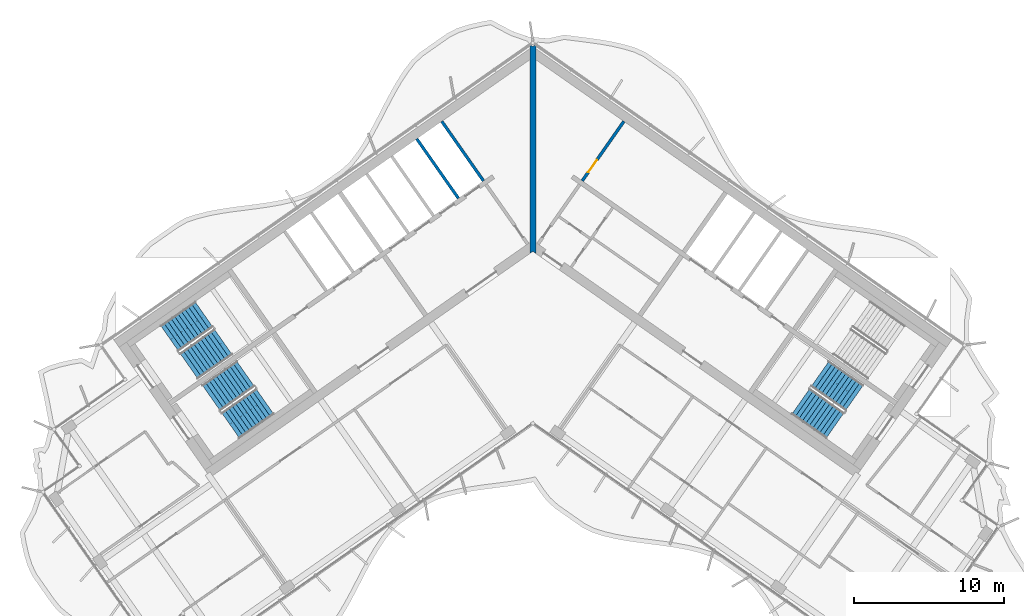
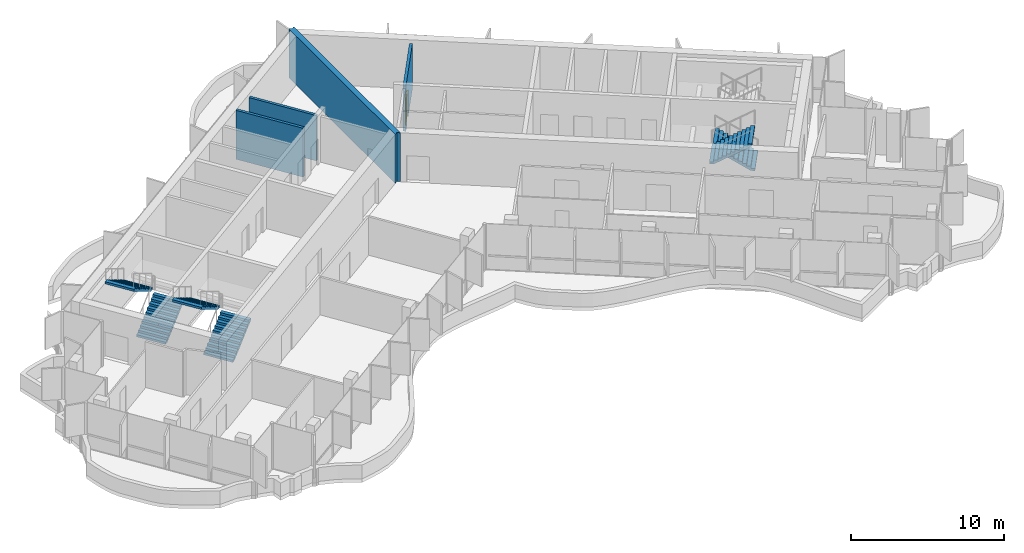
# One storey, part 12 of 18: 6 stair flights, 4 walls, 1 door, 1 opening, 3 elements without a shape of their own.
"""IFC4 building model written with IfcOpenShell, lengths in metres."""

from ifc_helpers import new_model, si_unit, direction, frame, frame_2d, origin, place, context, subcontext, project, spatial, polyline, rectangle, outline, extrude, material, layer, layer_set, type_object, element, fill, aggregate, save


model = new_model("IFC4")

# Units and contexts
model_context = context("Model", 3, precision=1e-05, world=origin(), true_north=direction((0.0, 1.0)))
body_context = subcontext(model_context, "Body", "Model", "MODEL_VIEW")
ifc_project = project(units=[si_unit("LENGTHUNIT", "METRE"), si_unit("AREAUNIT", "SQUARE_METRE"), si_unit("VOLUMEUNIT", "CUBIC_METRE"), si_unit("PLANEANGLEUNIT", "RADIAN"), si_unit("MASSUNIT", "GRAM", prefix="KILO")], contexts=[model_context])

# Site, building, storey
site_placement = place(None, origin())
site = spatial("IfcSite", under=ifc_project, at=site_placement, CompositionType="ELEMENT")
building_placement = place(site_placement, origin())
building = spatial("IfcBuilding", under=site, at=building_placement, Name="Tel Ilan Convention Tower", CompositionType="ELEMENT")
storey_placement = place(building_placement, frame((0.0, 0.0, 260.5)))
storey = spatial("IfcBuildingStorey", under=building, at=storey_placement, Name="L61", CompositionType="ELEMENT", Elevation=260.5)

# Wall
ifc_material_1 = material(Name="Concrete C30/37", Category="concrete")
ifc_layer_1 = layer(ifc_material_1, 0.199951171875)
ifc_layer_set_1 = layer_set([ifc_layer_1], Name="Core Service Room Wall 200 mm C30/37")
wall_type_1 = type_object("IfcWallType", Name="Core Service Room Wall 200 mm C30/37", PredefinedType="SOLIDWALL", material=ifc_layer_set_1)
wall_1_placement = place(storey_placement, frame((-3.2978515625, 3.489501953125, 0.0), z_axis=(0.0, 0.0, 1.0), x_axis=(-0.573560315113, 0.819163332265, 0.0)))
element("IfcWall", 1, at=wall_1_placement, inside=storey, type_object=wall_type_1, Name="L61 core wall apex-W-b", PredefinedType="SOLIDWALL", context=body_context, shape_type="SweptSolid", body=[
    extrude(rectangle(XDim=4.849853515625, YDim=0.199951171875, at=frame_2d((2.4248046875, 0.0))), origin(), (0.0, 0.0, 1.0), 3.6201171875),
])

# Wall, opening, door
wall_2_placement = place(storey_placement, frame((3.2978515625, 3.489501953125, 0.0), z_axis=(0.0, 0.0, 1.0), x_axis=(0.573560315113, 0.819163332265, 0.0)))
wall_2 = element("IfcWall", 2, at=wall_2_placement, inside=storey, type_object=wall_type_1, Name="L61 core wall apex-E-b", PredefinedType="SOLIDWALL", context=body_context, shape_type="SweptSolid", body=[
    extrude(rectangle(XDim=4.849853515625, YDim=0.199951171875, at=frame_2d((2.4248046875, 0.0))), origin(), (0.0, 0.0, 1.0), 3.6201171875),
])
opening_placement = place(wall_2_placement, frame((0.699951171875, 0.0, 0.0)))
opening = element("IfcOpeningElement", 3, at=opening_placement, cuts=wall_2, Name="Opening CD4603", PredefinedType="OPENING", context=body_context, shape_type="SweptSolid", body=[
    extrude(rectangle(XDim=1.0, YDim=2.10009765625, at=frame_2d((0.5, 1.050048828125))), frame((0.0, 0.10986328125, 0.0), z_axis=(0.0, -1.0, 0.0), x_axis=(1.0, 0.0, 0.0)), (0.0, 0.0, 1.0), 0.219970703125),
])
ifc_material_2 = material(Name="Galvanised Steel Door Leaf", Category="steel")
door_type = type_object("IfcDoorType", Name="Service Room Door 1000 x 2100 FD60", OperationType="NOTDEFINED", PredefinedType="DOOR", material=ifc_material_2)
door_placement = place(opening_placement, origin())
door = element("IfcDoor", 4, at=door_placement, inside=storey, type_object=door_type, Name="Plant Room door", OperationType="SINGLE_SWING_RIGHT", OverallHeight=2.10009765625, OverallWidth=1.0, PredefinedType="DOOR", context=body_context, shape_type="SweptSolid", body=[
    extrude(rectangle(XDim=1.0, YDim=2.10009765625, at=frame_2d((0.5, 1.050048828125))), frame((0.0, 0.02490234375, 0.0), z_axis=(0.0, -1.0, 0.0), x_axis=(1.0, 0.0, 0.0)), (0.0, 0.0, 1.0), 0.050048828125),
])
fill(opening, door)

# Walls
ifc_material_3 = material(Name="Concrete C40/50", Category="concrete")
ifc_layer_2 = layer(ifc_material_3, 0.39990234375)
ifc_layer_set_2 = layer_set([ifc_layer_2], Name="Core Shear Wall 400 mm C40/50")
wall_type_2 = type_object("IfcWallType", Name="Core Shear Wall 400 mm C40/50", PredefinedType="SHEAR", material=ifc_layer_set_2)
wall_3_placement = place(storey_placement, frame((0.0, -1.36083984375, 0.0), z_axis=(0.0, 0.0, 1.0), x_axis=(0.0, 1.0, 0.0)))
element("IfcWall", 5, at=wall_3_placement, inside=storey, type_object=wall_type_2, Name="L61 core wall K-central", PredefinedType="SHEAR", context=body_context, shape_type="SweptSolid", body=[
    extrude(outline(polyline([(0.14013671875, 0.199951171875), (0.0, 0.199951171875), (0.14013671875, 0.0), (0.0, -0.199951171875), (0.14013671875, -0.199951171875), (1.012451171875, -0.199951171875), (12.940185546875, -0.199951171875), (13.812744140625, -0.199951171875), (13.893310546875, -0.199951171875), (13.933349609375, -0.172119140625), (13.812744140625, 0.0), (13.933349609375, 0.172119140625), (13.893310546875, 0.199951171875), (13.812744140625, 0.199951171875), (12.940185546875, 0.199951171875), (1.012451171875, 0.199951171875), (0.14013671875, 0.199951171875)])), origin(), (0.0, 0.0, 1.0), 3.89990234375),
])
ifc_material_4 = material(Name="Concrete C30/37", Category="concrete")
ifc_layer_3 = layer(ifc_material_4, 0.199951171875)
ifc_layer_set_3 = layer_set([ifc_layer_3], Name="Lift Shaft Wall 200 mm C30/37")
wall_type_3 = type_object("IfcWallType", Name="Lift Shaft Wall 200 mm C30/37", PredefinedType="SOLIDWALL", material=ifc_layer_set_3)
wall_4_placement = place(storey_placement, frame((-4.966796875, 2.32080078125, 0.0), z_axis=(0.0, 0.0, 1.0), x_axis=(-0.573594092424, 0.81913968109, 0.0)))
element("IfcWall", 6, at=wall_4_placement, inside=storey, type_object=wall_type_3, Name="L61 core wall bank-W1-p0", PredefinedType="SOLIDWALL", context=body_context, shape_type="SweptSolid", body=[
    extrude(rectangle(XDim=4.85009765625, YDim=0.199951171875, at=frame_2d((2.425048828125, 0.0))), origin(), (0.0, 0.0, 1.0), 3.89990234375),
])

# Stair, stair flights
ifc_material_5 = material(Name="Concrete C40/50", Category="concrete")
stair_type = type_object("IfcStairType", Name="Pressurised Exit Stair 22 risers 177 mm", PredefinedType="HALF_TURN_STAIR", material=ifc_material_5)
stair_1_placement = place(storey_placement, origin())
stair_1 = element("IfcStair", 7, at=stair_1_placement, inside=storey, type_object=stair_type, Name="L61 Pressurised Stair S1", PredefinedType="HALF_TURN_STAIR")
ifc_material_6 = material(Name="Precast Concrete C40/50", Category="concrete")
stair_flight_type = type_object("IfcStairFlightType", Name="Concrete Stair Flight 2100 mm 22 risers 177 mm", PredefinedType="STRAIGHT", material=ifc_material_6)
stair_flight_1_placement = place(storey_placement, frame((-22.9619140625, -8.87548828125, 0.0), z_axis=(0.0, 0.0, 1.0), x_axis=(0.819152044289, 0.573576436351, 0.0)))
stair_flight_1 = element("IfcStairFlight", 8, at=stair_flight_1_placement, type_object=stair_flight_type, Name="S1 flight 1", NumberOfRisers=11, NumberOfTreads=10, PredefinedType="STRAIGHT", RiserHeight=0.177272727, TreadLength=0.28, context=body_context, shape_type="SweptSolid", body=[
    extrude(outline(polyline([(0.0, 0.0), (0.0, 0.17724609375), (0.280029296875, 0.17724609375), (0.280029296875, 0.3544921875), (0.56005859375, 0.3544921875), (0.56005859375, 0.53173828125), (0.840087890625, 0.53173828125), (0.840087890625, 0.708984375), (1.1201171875, 0.708984375), (1.1201171875, 0.886474609375), (1.39990234375, 0.886474609375), (1.39990234375, 1.063720703125), (1.679931640625, 1.063720703125), (1.679931640625, 1.240966796875), (1.9599609375, 1.240966796875), (1.9599609375, 1.418212890625), (2.239990234375, 1.418212890625), (2.239990234375, 1.595458984375), (2.52001953125, 1.595458984375), (2.52001953125, 1.772705078125), (2.800048828125, 1.772705078125), (2.800048828125, 1.949951171875), (2.800048828125, 1.59521484375), (0.2802734375, 0.0), (0.0, 0.0)])), frame((0.0, -0.100341796875, 0.0), z_axis=(0.0, -1.0, 0.0), x_axis=(1.0, 0.0, 0.0)), (0.0, 0.0, 1.0), 0.94970703125),
    extrude(outline(polyline([(0.0, 0.0), (0.0, 0.17724609375), (0.280029296875, 0.17724609375), (0.280029296875, 0.3544921875), (0.56005859375, 0.3544921875), (0.56005859375, 0.53173828125), (0.840087890625, 0.53173828125), (0.840087890625, 0.708984375), (1.1201171875, 0.708984375), (1.1201171875, 0.886474609375), (1.39990234375, 0.886474609375), (1.39990234375, 1.063720703125), (1.679931640625, 1.063720703125), (1.679931640625, 1.240966796875), (1.9599609375, 1.240966796875), (1.9599609375, 1.418212890625), (2.239990234375, 1.418212890625), (2.239990234375, 1.595458984375), (2.52001953125, 1.595458984375), (2.52001953125, 1.772705078125), (2.800048828125, 1.772705078125), (2.800048828125, 1.949951171875), (2.800048828125, 1.59521484375), (0.2802734375, 0.0), (0.0, 0.0)])), frame((0.0, -0.000244140625, 0.0), z_axis=(0.0, -1.0, 0.0), x_axis=(1.0, 0.0, 0.0)), (0.0, 0.0, 1.0), 0.099609375),
    extrude(outline(polyline([(0.0, 0.0), (0.0, 0.17724609375), (0.280029296875, 0.17724609375), (0.280029296875, 0.3544921875), (0.56005859375, 0.3544921875), (0.56005859375, 0.53173828125), (0.840087890625, 0.53173828125), (0.840087890625, 0.708984375), (1.1201171875, 0.708984375), (1.1201171875, 0.886474609375), (1.39990234375, 0.886474609375), (1.39990234375, 1.063720703125), (1.679931640625, 1.063720703125), (1.679931640625, 1.240966796875), (1.9599609375, 1.240966796875), (1.9599609375, 1.418212890625), (2.239990234375, 1.418212890625), (2.239990234375, 1.595458984375), (2.52001953125, 1.595458984375), (2.52001953125, 1.772705078125), (2.800048828125, 1.772705078125), (2.800048828125, 1.949951171875), (2.800048828125, 1.59521484375), (0.2802734375, 0.0), (0.0, 0.0)])), frame((0.0, 0.099853515625, 0.0), z_axis=(0.0, -1.0, 0.0), x_axis=(1.0, 0.0, 0.0)), (0.0, 0.0, 1.0), 0.099609375),
    extrude(outline(polyline([(0.0, 0.0), (0.0, 0.17724609375), (0.280029296875, 0.17724609375), (0.280029296875, 0.3544921875), (0.56005859375, 0.3544921875), (0.56005859375, 0.53173828125), (0.840087890625, 0.53173828125), (0.840087890625, 0.708984375), (1.1201171875, 0.708984375), (1.1201171875, 0.886474609375), (1.39990234375, 0.886474609375), (1.39990234375, 1.063720703125), (1.679931640625, 1.063720703125), (1.679931640625, 1.240966796875), (1.9599609375, 1.240966796875), (1.9599609375, 1.418212890625), (2.239990234375, 1.418212890625), (2.239990234375, 1.595458984375), (2.52001953125, 1.595458984375), (2.52001953125, 1.772705078125), (2.800048828125, 1.772705078125), (2.800048828125, 1.949951171875), (2.800048828125, 1.59521484375), (0.2802734375, 0.0), (0.0, 0.0)])), frame((0.0, 1.050048828125, 0.0), z_axis=(0.0, -1.0, 0.0), x_axis=(1.0, 0.0, 0.0)), (0.0, 0.0, 1.0), 0.94970703125),
])
stair_flight_2_placement = place(storey_placement, frame((-21.958740234375, -5.42626953125, 1.949951171875), z_axis=(0.0, 0.0, 1.0), x_axis=(-0.819152044289, -0.573576436351, 0.0)))
stair_flight_2 = element("IfcStairFlight", 9, at=stair_flight_2_placement, type_object=stair_flight_type, Name="S1 flight 2", NumberOfRisers=11, NumberOfTreads=10, PredefinedType="STRAIGHT", RiserHeight=0.177272727, TreadLength=0.28, context=body_context, shape_type="SweptSolid", body=[
    extrude(outline(polyline([(0.0, 0.0), (0.0, 0.17724609375), (0.280029296875, 0.17724609375), (0.280029296875, 0.3544921875), (0.56005859375, 0.3544921875), (0.56005859375, 0.53173828125), (0.840087890625, 0.53173828125), (0.840087890625, 0.708984375), (1.1201171875, 0.708984375), (1.1201171875, 0.886474609375), (1.39990234375, 0.886474609375), (1.39990234375, 1.063720703125), (1.679931640625, 1.063720703125), (1.679931640625, 1.240966796875), (1.9599609375, 1.240966796875), (1.9599609375, 1.418212890625), (2.239990234375, 1.418212890625), (2.239990234375, 1.595458984375), (2.52001953125, 1.595458984375), (2.52001953125, 1.772705078125), (2.800048828125, 1.772705078125), (2.800048828125, 1.949951171875), (2.800048828125, 1.59521484375), (0.2802734375, 0.0), (0.0, 0.0)])), frame((0.0, -0.100341796875, 0.0), z_axis=(0.0, -1.0, 0.0), x_axis=(1.0, 0.0, 0.0)), (0.0, 0.0, 1.0), 0.94970703125),
    extrude(outline(polyline([(0.0, 0.0), (0.0, 0.17724609375), (0.280029296875, 0.17724609375), (0.280029296875, 0.3544921875), (0.56005859375, 0.3544921875), (0.56005859375, 0.53173828125), (0.840087890625, 0.53173828125), (0.840087890625, 0.708984375), (1.1201171875, 0.708984375), (1.1201171875, 0.886474609375), (1.39990234375, 0.886474609375), (1.39990234375, 1.063720703125), (1.679931640625, 1.063720703125), (1.679931640625, 1.240966796875), (1.9599609375, 1.240966796875), (1.9599609375, 1.418212890625), (2.239990234375, 1.418212890625), (2.239990234375, 1.595458984375), (2.52001953125, 1.595458984375), (2.52001953125, 1.772705078125), (2.800048828125, 1.772705078125), (2.800048828125, 1.949951171875), (2.800048828125, 1.59521484375), (0.2802734375, 0.0), (0.0, 0.0)])), frame((0.0, -0.000244140625, 0.0), z_axis=(0.0, -1.0, 0.0), x_axis=(1.0, 0.0, 0.0)), (0.0, 0.0, 1.0), 0.099609375),
    extrude(outline(polyline([(0.0, 0.0), (0.0, 0.17724609375), (0.280029296875, 0.17724609375), (0.280029296875, 0.3544921875), (0.56005859375, 0.3544921875), (0.56005859375, 0.53173828125), (0.840087890625, 0.53173828125), (0.840087890625, 0.708984375), (1.1201171875, 0.708984375), (1.1201171875, 0.886474609375), (1.39990234375, 0.886474609375), (1.39990234375, 1.063720703125), (1.679931640625, 1.063720703125), (1.679931640625, 1.240966796875), (1.9599609375, 1.240966796875), (1.9599609375, 1.418212890625), (2.239990234375, 1.418212890625), (2.239990234375, 1.595458984375), (2.52001953125, 1.595458984375), (2.52001953125, 1.772705078125), (2.800048828125, 1.772705078125), (2.800048828125, 1.949951171875), (2.800048828125, 1.59521484375), (0.2802734375, 0.0), (0.0, 0.0)])), frame((0.0, 0.099853515625, 0.0), z_axis=(0.0, -1.0, 0.0), x_axis=(1.0, 0.0, 0.0)), (0.0, 0.0, 1.0), 0.099609375),
    extrude(outline(polyline([(0.0, 0.0), (0.0, 0.17724609375), (0.280029296875, 0.17724609375), (0.280029296875, 0.3544921875), (0.56005859375, 0.3544921875), (0.56005859375, 0.53173828125), (0.840087890625, 0.53173828125), (0.840087890625, 0.708984375), (1.1201171875, 0.708984375), (1.1201171875, 0.886474609375), (1.39990234375, 0.886474609375), (1.39990234375, 1.063720703125), (1.679931640625, 1.063720703125), (1.679931640625, 1.240966796875), (1.9599609375, 1.240966796875), (1.9599609375, 1.418212890625), (2.239990234375, 1.418212890625), (2.239990234375, 1.595458984375), (2.52001953125, 1.595458984375), (2.52001953125, 1.772705078125), (2.800048828125, 1.772705078125), (2.800048828125, 1.949951171875), (2.800048828125, 1.59521484375), (0.2802734375, 0.0), (0.0, 0.0)])), frame((0.0, 1.050048828125, 0.0), z_axis=(0.0, -1.0, 0.0), x_axis=(1.0, 0.0, 0.0)), (0.0, 0.0, 1.0), 0.94970703125),
])
aggregate(stair_1, [stair_flight_1, stair_flight_2])

stair_2_placement = place(storey_placement, origin())
stair_2 = element("IfcStair", 10, at=stair_2_placement, inside=storey, type_object=stair_type, Name="L61 Pressurised Stair S2", PredefinedType="HALF_TURN_STAIR")
stair_flight_3_placement = place(storey_placement, frame((-20.179931640625, -12.848388671875, 0.0), z_axis=(0.0, 0.0, 1.0), x_axis=(0.819152044289, 0.573576436351, 0.0)))
stair_flight_3 = element("IfcStairFlight", 11, at=stair_flight_3_placement, type_object=stair_flight_type, Name="S2 flight 1", NumberOfRisers=11, NumberOfTreads=10, PredefinedType="STRAIGHT", RiserHeight=0.177272727, TreadLength=0.28, context=body_context, shape_type="SweptSolid", body=[
    extrude(outline(polyline([(0.0, 0.0), (0.0, 0.17724609375), (0.280029296875, 0.17724609375), (0.280029296875, 0.3544921875), (0.56005859375, 0.3544921875), (0.56005859375, 0.53173828125), (0.840087890625, 0.53173828125), (0.840087890625, 0.708984375), (1.1201171875, 0.708984375), (1.1201171875, 0.886474609375), (1.39990234375, 0.886474609375), (1.39990234375, 1.063720703125), (1.679931640625, 1.063720703125), (1.679931640625, 1.240966796875), (1.9599609375, 1.240966796875), (1.9599609375, 1.418212890625), (2.239990234375, 1.418212890625), (2.239990234375, 1.595458984375), (2.52001953125, 1.595458984375), (2.52001953125, 1.772705078125), (2.800048828125, 1.772705078125), (2.800048828125, 1.949951171875), (2.800048828125, 1.59521484375), (0.2802734375, 0.0), (0.0, 0.0)])), frame((0.0, -0.100341796875, 0.0), z_axis=(0.0, -1.0, 0.0), x_axis=(1.0, 0.0, 0.0)), (0.0, 0.0, 1.0), 0.94970703125),
    extrude(outline(polyline([(0.0, 0.0), (0.0, 0.17724609375), (0.280029296875, 0.17724609375), (0.280029296875, 0.3544921875), (0.56005859375, 0.3544921875), (0.56005859375, 0.53173828125), (0.840087890625, 0.53173828125), (0.840087890625, 0.708984375), (1.1201171875, 0.708984375), (1.1201171875, 0.886474609375), (1.39990234375, 0.886474609375), (1.39990234375, 1.063720703125), (1.679931640625, 1.063720703125), (1.679931640625, 1.240966796875), (1.9599609375, 1.240966796875), (1.9599609375, 1.418212890625), (2.239990234375, 1.418212890625), (2.239990234375, 1.595458984375), (2.52001953125, 1.595458984375), (2.52001953125, 1.772705078125), (2.800048828125, 1.772705078125), (2.800048828125, 1.949951171875), (2.800048828125, 1.59521484375), (0.2802734375, 0.0), (0.0, 0.0)])), frame((0.0, -0.000244140625, 0.0), z_axis=(0.0, -1.0, 0.0), x_axis=(1.0, 0.0, 0.0)), (0.0, 0.0, 1.0), 0.099609375),
    extrude(outline(polyline([(0.0, 0.0), (0.0, 0.17724609375), (0.280029296875, 0.17724609375), (0.280029296875, 0.3544921875), (0.56005859375, 0.3544921875), (0.56005859375, 0.53173828125), (0.840087890625, 0.53173828125), (0.840087890625, 0.708984375), (1.1201171875, 0.708984375), (1.1201171875, 0.886474609375), (1.39990234375, 0.886474609375), (1.39990234375, 1.063720703125), (1.679931640625, 1.063720703125), (1.679931640625, 1.240966796875), (1.9599609375, 1.240966796875), (1.9599609375, 1.418212890625), (2.239990234375, 1.418212890625), (2.239990234375, 1.595458984375), (2.52001953125, 1.595458984375), (2.52001953125, 1.772705078125), (2.800048828125, 1.772705078125), (2.800048828125, 1.949951171875), (2.800048828125, 1.59521484375), (0.2802734375, 0.0), (0.0, 0.0)])), frame((0.0, 0.099853515625, 0.0), z_axis=(0.0, -1.0, 0.0), x_axis=(1.0, 0.0, 0.0)), (0.0, 0.0, 1.0), 0.099609375),
    extrude(outline(polyline([(0.0, 0.0), (0.0, 0.17724609375), (0.280029296875, 0.17724609375), (0.280029296875, 0.3544921875), (0.56005859375, 0.3544921875), (0.56005859375, 0.53173828125), (0.840087890625, 0.53173828125), (0.840087890625, 0.708984375), (1.1201171875, 0.708984375), (1.1201171875, 0.886474609375), (1.39990234375, 0.886474609375), (1.39990234375, 1.063720703125), (1.679931640625, 1.063720703125), (1.679931640625, 1.240966796875), (1.9599609375, 1.240966796875), (1.9599609375, 1.418212890625), (2.239990234375, 1.418212890625), (2.239990234375, 1.595458984375), (2.52001953125, 1.595458984375), (2.52001953125, 1.772705078125), (2.800048828125, 1.772705078125), (2.800048828125, 1.949951171875), (2.800048828125, 1.59521484375), (0.2802734375, 0.0), (0.0, 0.0)])), frame((0.0, 1.050048828125, 0.0), z_axis=(0.0, -1.0, 0.0), x_axis=(1.0, 0.0, 0.0)), (0.0, 0.0, 1.0), 0.94970703125),
])
stair_flight_4_placement = place(storey_placement, frame((-19.177001953125, -9.399169921875, 1.949951171875), z_axis=(0.0, 0.0, 1.0), x_axis=(-0.819152044289, -0.573576436351, 0.0)))
stair_flight_4 = element("IfcStairFlight", 12, at=stair_flight_4_placement, type_object=stair_flight_type, Name="S2 flight 2", NumberOfRisers=11, NumberOfTreads=10, PredefinedType="STRAIGHT", RiserHeight=0.177272727, TreadLength=0.28, context=body_context, shape_type="SweptSolid", body=[
    extrude(outline(polyline([(0.0, 0.0), (0.0, 0.17724609375), (0.280029296875, 0.17724609375), (0.280029296875, 0.3544921875), (0.56005859375, 0.3544921875), (0.56005859375, 0.53173828125), (0.840087890625, 0.53173828125), (0.840087890625, 0.708984375), (1.1201171875, 0.708984375), (1.1201171875, 0.886474609375), (1.39990234375, 0.886474609375), (1.39990234375, 1.063720703125), (1.679931640625, 1.063720703125), (1.679931640625, 1.240966796875), (1.9599609375, 1.240966796875), (1.9599609375, 1.418212890625), (2.239990234375, 1.418212890625), (2.239990234375, 1.595458984375), (2.52001953125, 1.595458984375), (2.52001953125, 1.772705078125), (2.800048828125, 1.772705078125), (2.800048828125, 1.949951171875), (2.800048828125, 1.59521484375), (0.2802734375, 0.0), (0.0, 0.0)])), frame((0.0, -0.100341796875, 0.0), z_axis=(0.0, -1.0, 0.0), x_axis=(1.0, 0.0, 0.0)), (0.0, 0.0, 1.0), 0.94970703125),
    extrude(outline(polyline([(0.0, 0.0), (0.0, 0.17724609375), (0.280029296875, 0.17724609375), (0.280029296875, 0.3544921875), (0.56005859375, 0.3544921875), (0.56005859375, 0.53173828125), (0.840087890625, 0.53173828125), (0.840087890625, 0.708984375), (1.1201171875, 0.708984375), (1.1201171875, 0.886474609375), (1.39990234375, 0.886474609375), (1.39990234375, 1.063720703125), (1.679931640625, 1.063720703125), (1.679931640625, 1.240966796875), (1.9599609375, 1.240966796875), (1.9599609375, 1.418212890625), (2.239990234375, 1.418212890625), (2.239990234375, 1.595458984375), (2.52001953125, 1.595458984375), (2.52001953125, 1.772705078125), (2.800048828125, 1.772705078125), (2.800048828125, 1.949951171875), (2.800048828125, 1.59521484375), (0.2802734375, 0.0), (0.0, 0.0)])), frame((0.0, -0.000244140625, 0.0), z_axis=(0.0, -1.0, 0.0), x_axis=(1.0, 0.0, 0.0)), (0.0, 0.0, 1.0), 0.099609375),
    extrude(outline(polyline([(0.0, 0.0), (0.0, 0.17724609375), (0.280029296875, 0.17724609375), (0.280029296875, 0.3544921875), (0.56005859375, 0.3544921875), (0.56005859375, 0.53173828125), (0.840087890625, 0.53173828125), (0.840087890625, 0.708984375), (1.1201171875, 0.708984375), (1.1201171875, 0.886474609375), (1.39990234375, 0.886474609375), (1.39990234375, 1.063720703125), (1.679931640625, 1.063720703125), (1.679931640625, 1.240966796875), (1.9599609375, 1.240966796875), (1.9599609375, 1.418212890625), (2.239990234375, 1.418212890625), (2.239990234375, 1.595458984375), (2.52001953125, 1.595458984375), (2.52001953125, 1.772705078125), (2.800048828125, 1.772705078125), (2.800048828125, 1.949951171875), (2.800048828125, 1.59521484375), (0.2802734375, 0.0), (0.0, 0.0)])), frame((0.0, 0.099853515625, 0.0), z_axis=(0.0, -1.0, 0.0), x_axis=(1.0, 0.0, 0.0)), (0.0, 0.0, 1.0), 0.099609375),
    extrude(outline(polyline([(0.0, 0.0), (0.0, 0.17724609375), (0.280029296875, 0.17724609375), (0.280029296875, 0.3544921875), (0.56005859375, 0.3544921875), (0.56005859375, 0.53173828125), (0.840087890625, 0.53173828125), (0.840087890625, 0.708984375), (1.1201171875, 0.708984375), (1.1201171875, 0.886474609375), (1.39990234375, 0.886474609375), (1.39990234375, 1.063720703125), (1.679931640625, 1.063720703125), (1.679931640625, 1.240966796875), (1.9599609375, 1.240966796875), (1.9599609375, 1.418212890625), (2.239990234375, 1.418212890625), (2.239990234375, 1.595458984375), (2.52001953125, 1.595458984375), (2.52001953125, 1.772705078125), (2.800048828125, 1.772705078125), (2.800048828125, 1.949951171875), (2.800048828125, 1.59521484375), (0.2802734375, 0.0), (0.0, 0.0)])), frame((0.0, 1.050048828125, 0.0), z_axis=(0.0, -1.0, 0.0), x_axis=(1.0, 0.0, 0.0)), (0.0, 0.0, 1.0), 0.94970703125),
])
aggregate(stair_2, [stair_flight_3, stair_flight_4])

stair_3_placement = place(storey_placement, origin())
stair_3 = element("IfcStair", 13, at=stair_3_placement, inside=storey, type_object=stair_type, Name="L61 Pressurised Stair S4", PredefinedType="HALF_TURN_STAIR")
stair_flight_5_placement = place(storey_placement, frame((21.470458984375, -11.00537109375, 0.0), z_axis=(0.0, 0.0, 1.0), x_axis=(-0.819152044289, 0.573576436351, 0.0)))
stair_flight_5 = element("IfcStairFlight", 14, at=stair_flight_5_placement, type_object=stair_flight_type, Name="S4 flight 1", NumberOfRisers=11, NumberOfTreads=10, PredefinedType="STRAIGHT", RiserHeight=0.177272727, TreadLength=0.28, context=body_context, shape_type="SweptSolid", body=[
    extrude(outline(polyline([(0.0, 0.0), (0.0, 0.17724609375), (0.280029296875, 0.17724609375), (0.280029296875, 0.3544921875), (0.56005859375, 0.3544921875), (0.56005859375, 0.53173828125), (0.840087890625, 0.53173828125), (0.840087890625, 0.708984375), (1.1201171875, 0.708984375), (1.1201171875, 0.886474609375), (1.39990234375, 0.886474609375), (1.39990234375, 1.063720703125), (1.679931640625, 1.063720703125), (1.679931640625, 1.240966796875), (1.9599609375, 1.240966796875), (1.9599609375, 1.418212890625), (2.239990234375, 1.418212890625), (2.239990234375, 1.595458984375), (2.52001953125, 1.595458984375), (2.52001953125, 1.772705078125), (2.800048828125, 1.772705078125), (2.800048828125, 1.949951171875), (2.800048828125, 1.59521484375), (0.2802734375, 0.0), (0.0, 0.0)])), frame((0.0, -0.100341796875, 0.0), z_axis=(0.0, -1.0, 0.0), x_axis=(1.0, 0.0, 0.0)), (0.0, 0.0, 1.0), 0.94970703125),
    extrude(outline(polyline([(0.0, 0.0), (0.0, 0.17724609375), (0.280029296875, 0.17724609375), (0.280029296875, 0.3544921875), (0.56005859375, 0.3544921875), (0.56005859375, 0.53173828125), (0.840087890625, 0.53173828125), (0.840087890625, 0.708984375), (1.1201171875, 0.708984375), (1.1201171875, 0.886474609375), (1.39990234375, 0.886474609375), (1.39990234375, 1.063720703125), (1.679931640625, 1.063720703125), (1.679931640625, 1.240966796875), (1.9599609375, 1.240966796875), (1.9599609375, 1.418212890625), (2.239990234375, 1.418212890625), (2.239990234375, 1.595458984375), (2.52001953125, 1.595458984375), (2.52001953125, 1.772705078125), (2.800048828125, 1.772705078125), (2.800048828125, 1.949951171875), (2.800048828125, 1.59521484375), (0.2802734375, 0.0), (0.0, 0.0)])), frame((0.0, -0.000244140625, 0.0), z_axis=(0.0, -1.0, 0.0), x_axis=(1.0, 0.0, 0.0)), (0.0, 0.0, 1.0), 0.099609375),
    extrude(outline(polyline([(0.0, 0.0), (0.0, 0.17724609375), (0.280029296875, 0.17724609375), (0.280029296875, 0.3544921875), (0.56005859375, 0.3544921875), (0.56005859375, 0.53173828125), (0.840087890625, 0.53173828125), (0.840087890625, 0.708984375), (1.1201171875, 0.708984375), (1.1201171875, 0.886474609375), (1.39990234375, 0.886474609375), (1.39990234375, 1.063720703125), (1.679931640625, 1.063720703125), (1.679931640625, 1.240966796875), (1.9599609375, 1.240966796875), (1.9599609375, 1.418212890625), (2.239990234375, 1.418212890625), (2.239990234375, 1.595458984375), (2.52001953125, 1.595458984375), (2.52001953125, 1.772705078125), (2.800048828125, 1.772705078125), (2.800048828125, 1.949951171875), (2.800048828125, 1.59521484375), (0.2802734375, 0.0), (0.0, 0.0)])), frame((0.0, 0.099853515625, 0.0), z_axis=(0.0, -1.0, 0.0), x_axis=(1.0, 0.0, 0.0)), (0.0, 0.0, 1.0), 0.099609375),
    extrude(outline(polyline([(0.0, 0.0), (0.0, 0.17724609375), (0.280029296875, 0.17724609375), (0.280029296875, 0.3544921875), (0.56005859375, 0.3544921875), (0.56005859375, 0.53173828125), (0.840087890625, 0.53173828125), (0.840087890625, 0.708984375), (1.1201171875, 0.708984375), (1.1201171875, 0.886474609375), (1.39990234375, 0.886474609375), (1.39990234375, 1.063720703125), (1.679931640625, 1.063720703125), (1.679931640625, 1.240966796875), (1.9599609375, 1.240966796875), (1.9599609375, 1.418212890625), (2.239990234375, 1.418212890625), (2.239990234375, 1.595458984375), (2.52001953125, 1.595458984375), (2.52001953125, 1.772705078125), (2.800048828125, 1.772705078125), (2.800048828125, 1.949951171875), (2.800048828125, 1.59521484375), (0.2802734375, 0.0), (0.0, 0.0)])), frame((0.0, 1.050048828125, 0.0), z_axis=(0.0, -1.0, 0.0), x_axis=(1.0, 0.0, 0.0)), (0.0, 0.0, 1.0), 0.94970703125),
])
stair_flight_6_placement = place(storey_placement, frame((17.886474609375, -11.242431640625, 1.949951171875), z_axis=(0.0, 0.0, 1.0), x_axis=(0.819152044289, -0.573576436351, 0.0)))
stair_flight_6 = element("IfcStairFlight", 15, at=stair_flight_6_placement, type_object=stair_flight_type, Name="S4 flight 2", NumberOfRisers=11, NumberOfTreads=10, PredefinedType="STRAIGHT", RiserHeight=0.177272727, TreadLength=0.28, context=body_context, shape_type="SweptSolid", body=[
    extrude(outline(polyline([(0.0, 0.0), (0.0, 0.17724609375), (0.280029296875, 0.17724609375), (0.280029296875, 0.3544921875), (0.56005859375, 0.3544921875), (0.56005859375, 0.53173828125), (0.840087890625, 0.53173828125), (0.840087890625, 0.708984375), (1.1201171875, 0.708984375), (1.1201171875, 0.886474609375), (1.39990234375, 0.886474609375), (1.39990234375, 1.063720703125), (1.679931640625, 1.063720703125), (1.679931640625, 1.240966796875), (1.9599609375, 1.240966796875), (1.9599609375, 1.418212890625), (2.239990234375, 1.418212890625), (2.239990234375, 1.595458984375), (2.52001953125, 1.595458984375), (2.52001953125, 1.772705078125), (2.800048828125, 1.772705078125), (2.800048828125, 1.949951171875), (2.800048828125, 1.59521484375), (0.2802734375, 0.0), (0.0, 0.0)])), frame((0.0, -0.100341796875, 0.0), z_axis=(0.0, -1.0, 0.0), x_axis=(1.0, 0.0, 0.0)), (0.0, 0.0, 1.0), 0.94970703125),
    extrude(outline(polyline([(0.0, 0.0), (0.0, 0.17724609375), (0.280029296875, 0.17724609375), (0.280029296875, 0.3544921875), (0.56005859375, 0.3544921875), (0.56005859375, 0.53173828125), (0.840087890625, 0.53173828125), (0.840087890625, 0.708984375), (1.1201171875, 0.708984375), (1.1201171875, 0.886474609375), (1.39990234375, 0.886474609375), (1.39990234375, 1.063720703125), (1.679931640625, 1.063720703125), (1.679931640625, 1.240966796875), (1.9599609375, 1.240966796875), (1.9599609375, 1.418212890625), (2.239990234375, 1.418212890625), (2.239990234375, 1.595458984375), (2.52001953125, 1.595458984375), (2.52001953125, 1.772705078125), (2.800048828125, 1.772705078125), (2.800048828125, 1.949951171875), (2.800048828125, 1.59521484375), (0.2802734375, 0.0), (0.0, 0.0)])), frame((0.0, -0.000244140625, 0.0), z_axis=(0.0, -1.0, 0.0), x_axis=(1.0, 0.0, 0.0)), (0.0, 0.0, 1.0), 0.099609375),
    extrude(outline(polyline([(0.0, 0.0), (0.0, 0.17724609375), (0.280029296875, 0.17724609375), (0.280029296875, 0.3544921875), (0.56005859375, 0.3544921875), (0.56005859375, 0.53173828125), (0.840087890625, 0.53173828125), (0.840087890625, 0.708984375), (1.1201171875, 0.708984375), (1.1201171875, 0.886474609375), (1.39990234375, 0.886474609375), (1.39990234375, 1.063720703125), (1.679931640625, 1.063720703125), (1.679931640625, 1.240966796875), (1.9599609375, 1.240966796875), (1.9599609375, 1.418212890625), (2.239990234375, 1.418212890625), (2.239990234375, 1.595458984375), (2.52001953125, 1.595458984375), (2.52001953125, 1.772705078125), (2.800048828125, 1.772705078125), (2.800048828125, 1.949951171875), (2.800048828125, 1.59521484375), (0.2802734375, 0.0), (0.0, 0.0)])), frame((0.0, 0.099853515625, 0.0), z_axis=(0.0, -1.0, 0.0), x_axis=(1.0, 0.0, 0.0)), (0.0, 0.0, 1.0), 0.099609375),
    extrude(outline(polyline([(0.0, 0.0), (0.0, 0.17724609375), (0.280029296875, 0.17724609375), (0.280029296875, 0.3544921875), (0.56005859375, 0.3544921875), (0.56005859375, 0.53173828125), (0.840087890625, 0.53173828125), (0.840087890625, 0.708984375), (1.1201171875, 0.708984375), (1.1201171875, 0.886474609375), (1.39990234375, 0.886474609375), (1.39990234375, 1.063720703125), (1.679931640625, 1.063720703125), (1.679931640625, 1.240966796875), (1.9599609375, 1.240966796875), (1.9599609375, 1.418212890625), (2.239990234375, 1.418212890625), (2.239990234375, 1.595458984375), (2.52001953125, 1.595458984375), (2.52001953125, 1.772705078125), (2.800048828125, 1.772705078125), (2.800048828125, 1.949951171875), (2.800048828125, 1.59521484375), (0.2802734375, 0.0), (0.0, 0.0)])), frame((0.0, 1.050048828125, 0.0), z_axis=(0.0, -1.0, 0.0), x_axis=(1.0, 0.0, 0.0)), (0.0, 0.0, 1.0), 0.94970703125),
])
aggregate(stair_3, [stair_flight_5, stair_flight_6])

save(model, "model.ifc")
